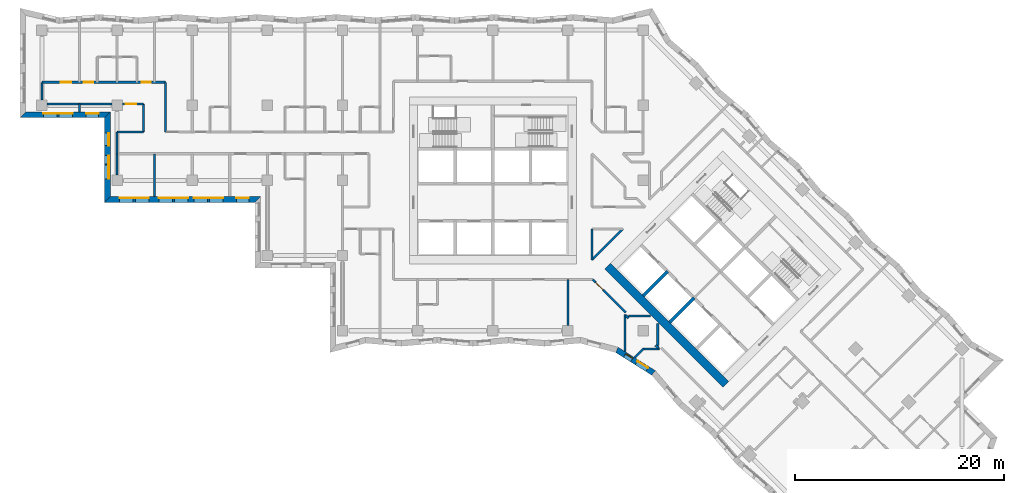
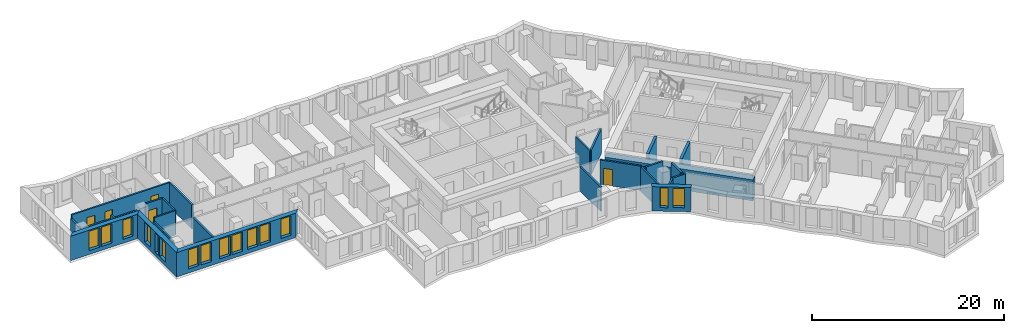
# One storey, part 3 of 12: 29 walls, 15 windows, 5 doors, 20 openings.
"""IFC4 building model written with IfcOpenShell, lengths in metres."""

from ifc_helpers import new_model, si_unit, direction, frame, frame_2d, origin, place, context, subcontext, project, spatial, polyline, rectangle, outline, extrude, material, layer, layer_set, type_object, element, fill, save


model = new_model("IFC4")

# Units and contexts
model_context = context("Model", 3, precision=1e-05, world=origin(), true_north=direction((0.0, 1.0)))
body_context = subcontext(model_context, "Body", "Model", "MODEL_VIEW")
ifc_project = project(units=[si_unit("LENGTHUNIT", "METRE"), si_unit("AREAUNIT", "SQUARE_METRE"), si_unit("VOLUMEUNIT", "CUBIC_METRE"), si_unit("PLANEANGLEUNIT", "RADIAN"), si_unit("MASSUNIT", "GRAM", prefix="KILO")], contexts=[model_context])

# Site, building, storey
site_placement = place(None, origin())
site = spatial("IfcSite", under=ifc_project, at=site_placement, CompositionType="ELEMENT")
building_placement = place(site_placement, origin())
building = spatial("IfcBuilding", under=site, at=building_placement, Name="Windrow Commons", CompositionType="ELEMENT")
storey_placement = place(building_placement, frame((0.0, 0.0, 81.2)))
storey = spatial("IfcBuildingStorey", under=building, at=storey_placement, Name="L21", CompositionType="ELEMENT", Elevation=81.2)

# Wall, openings, windows
ifc_material_1 = material(Name="Brick masonry, red clay brick", Category="masonry")
ifc_layer_1 = layer(ifc_material_1, 0.55)
ifc_layer_set_1 = layer_set([ifc_layer_1], Name="Brick facade wall 550")
wall_type_1 = type_object("IfcWallType", Name="Brick facade wall 550", PredefinedType="SOLIDWALL", material=ifc_layer_set_1)
wall_1_placement = place(storey_placement, frame((19.775, 63.875, 0.0), z_axis=(0.0, 0.0, 1.0), x_axis=(1.0, 0.0, 0.0)))
wall_1 = element("IfcWall", 1, at=wall_1_placement, inside=storey, type_object=wall_type_1, Name="Brick facade wall L21 38", PredefinedType="SOLIDWALL", context=body_context, shape_type="SweptSolid", body=[
    extrude(outline(polyline([(-0.275, -0.275), (7.825, -0.275), (8.375, 0.275), (0.275, 0.275), (-0.275, -0.275)])), origin(), (0.0, 0.0, 1.0), 3.1),
])
opening_1_placement = place(wall_1_placement, frame((1.975, 0.0, 0.5)))
opening_1 = element("IfcOpeningElement", 2, at=opening_1_placement, cuts=wall_1, Name="Opening W1P", PredefinedType="OPENING", context=body_context, shape_type="SweptSolid", body=[
    extrude(rectangle(XDim=1.3, YDim=2.45, at=frame_2d((0.65, 1.225))), frame((0.0, 0.285, 0.0), z_axis=(0.0, -1.0, 0.0), x_axis=(1.0, 0.0, 0.0)), (0.0, 0.0, 1.0), 0.57),
])
opening_2_placement = place(wall_1_placement, frame((3.475, 0.0, 0.5)))
opening_2 = element("IfcOpeningElement", 3, at=opening_2_placement, cuts=wall_1, Name="Opening W1P", PredefinedType="OPENING", context=body_context, shape_type="SweptSolid", body=[
    extrude(rectangle(XDim=1.3, YDim=2.45, at=frame_2d((0.65, 1.225))), frame((0.0, 0.285, 0.0), z_axis=(0.0, -1.0, 0.0), x_axis=(1.0, 0.0, 0.0)), (0.0, 0.0, 1.0), 0.57),
])
opening_3_placement = place(wall_1_placement, frame((6.0625, 0.0, 0.5)))
opening_3 = element("IfcOpeningElement", 4, at=opening_3_placement, cuts=wall_1, Name="Opening W7D", PredefinedType="OPENING", context=body_context, shape_type="SweptSolid", body=[
    extrude(rectangle(XDim=1.2, YDim=2.45, at=frame_2d((0.6, 1.225))), frame((0.0, 0.285, 0.0), z_axis=(0.0, -1.0, 0.0), x_axis=(1.0, 0.0, 0.0)), (0.0, 0.0, 1.0), 0.57),
])
ifc_material_2 = material(Name="Clear float glass in anodised aluminium frame", Category="aluminium")
window_type_1 = type_object("IfcWindowType", Name="Window W1P pair 1300x2450", PartitioningType="SINGLE_PANEL", PredefinedType="WINDOW", material=ifc_material_2)
window_1_placement = place(opening_1_placement, origin())
window_1 = element("IfcWindow", 5, at=window_1_placement, inside=storey, type_object=window_type_1, Name="Window L21 38.1A", OverallHeight=2.45, OverallWidth=1.3, PartitioningType="SINGLE_PANEL", PredefinedType="WINDOW", context=body_context, shape_type="SweptSolid", body=[
    extrude(rectangle(XDim=1.3, YDim=2.45, at=frame_2d((0.65, 1.225))), frame((0.0, 0.155, 0.0), z_axis=(0.0, -1.0, 0.0), x_axis=(1.0, 0.0, 0.0)), (0.0, 0.0, 1.0), 0.06),
])
fill(opening_1, window_1)
window_2_placement = place(opening_2_placement, origin())
window_2 = element("IfcWindow", 6, at=window_2_placement, inside=storey, type_object=window_type_1, Name="Window L21 38.1B", OverallHeight=2.45, OverallWidth=1.3, PartitioningType="SINGLE_PANEL", PredefinedType="WINDOW", context=body_context, shape_type="SweptSolid", body=[
    extrude(rectangle(XDim=1.3, YDim=2.45, at=frame_2d((0.65, 1.225))), frame((0.0, 0.155, 0.0), z_axis=(0.0, -1.0, 0.0), x_axis=(1.0, 0.0, 0.0)), (0.0, 0.0, 1.0), 0.06),
])
fill(opening_2, window_2)
ifc_material_3 = material(Name="Clear float glass in anodised aluminium frame", Category="aluminium")
window_type_2 = type_object("IfcWindowType", Name="Window W7 notch 1200x2450", PartitioningType="SINGLE_PANEL", PredefinedType="WINDOW", material=ifc_material_3)
window_3_placement = place(opening_3_placement, origin())
window_3 = element("IfcWindow", 7, at=window_3_placement, inside=storey, type_object=window_type_2, Name="Window L21 38.2", OverallHeight=2.45, OverallWidth=1.2, PartitioningType="SINGLE_PANEL", PredefinedType="WINDOW", context=body_context, shape_type="SweptSolid", body=[
    extrude(rectangle(XDim=1.2, YDim=2.45, at=frame_2d((0.6, 1.225))), frame((0.0, 0.155, 0.0), z_axis=(0.0, -1.0, 0.0), x_axis=(1.0, 0.0, 0.0)), (0.0, 0.0, 1.0), 0.06),
])
fill(opening_3, window_3)

wall_2_placement = place(storey_placement, frame((27.875, 63.875, 0.0), z_axis=(0.0, 0.0, 1.0), x_axis=(0.0, -1.0, 0.0)))
wall_2 = element("IfcWall", 8, at=wall_2_placement, inside=storey, type_object=wall_type_1, Name="Brick facade wall L21 39", PredefinedType="SOLIDWALL", context=body_context, shape_type="SweptSolid", body=[
    extrude(outline(polyline([(0.275, -0.275), (8.375, -0.275), (7.825, 0.275), (-0.275, 0.275), (0.275, -0.275)])), origin(), (0.0, 0.0, 1.0), 3.1),
])
opening_4_placement = place(wall_2_placement, frame((4.825, 0.0, 0.5)))
opening_4 = element("IfcOpeningElement", 9, at=opening_4_placement, cuts=wall_2, Name="Opening W1P", PredefinedType="OPENING", context=body_context, shape_type="SweptSolid", body=[
    extrude(rectangle(XDim=1.3, YDim=2.45, at=frame_2d((0.65, 1.225))), frame((0.0, 0.285, 0.0), z_axis=(0.0, -1.0, 0.0), x_axis=(1.0, 0.0, 0.0)), (0.0, 0.0, 1.0), 0.57),
])
opening_5_placement = place(wall_2_placement, frame((1.7375, 0.0, 0.5)))
opening_5 = element("IfcOpeningElement", 10, at=opening_5_placement, cuts=wall_2, Name="Opening W7D", PredefinedType="OPENING", context=body_context, shape_type="SweptSolid", body=[
    extrude(rectangle(XDim=1.2, YDim=2.45, at=frame_2d((0.6, 1.225))), frame((0.0, 0.285, 0.0), z_axis=(0.0, -1.0, 0.0), x_axis=(1.0, 0.0, 0.0)), (0.0, 0.0, 1.0), 0.57),
])
opening_6_placement = place(wall_2_placement, frame((3.9, 0.0, 0.45)))
opening_6 = element("IfcOpeningElement", 11, at=opening_6_placement, cuts=wall_2, Name="Opening W1N", PredefinedType="OPENING", context=body_context, shape_type="SweptSolid", body=[
    extrude(rectangle(XDim=0.8, YDim=2.5, at=frame_2d((0.4, 1.25))), frame((0.0, 0.285, 0.0), z_axis=(0.0, -1.0, 0.0), x_axis=(1.0, 0.0, 0.0)), (0.0, 0.0, 1.0), 0.57),
])
ifc_material_4 = material(Name="Clear float glass in anodised aluminium frame", Category="aluminium")
window_type_3 = type_object("IfcWindowType", Name="Window W1N slit 800x2500", PartitioningType="SINGLE_PANEL", PredefinedType="WINDOW", material=ifc_material_4)
window_4_placement = place(opening_6_placement, origin())
window_4 = element("IfcWindow", 12, at=window_4_placement, inside=storey, type_object=window_type_3, Name="Window L21 39.1AA", OverallHeight=2.5, OverallWidth=0.8, PartitioningType="SINGLE_PANEL", PredefinedType="WINDOW", context=body_context, shape_type="SweptSolid", body=[
    extrude(rectangle(XDim=0.8, YDim=2.5, at=frame_2d((0.4, 1.25))), frame((0.0, 0.155, 0.0), z_axis=(0.0, -1.0, 0.0), x_axis=(1.0, 0.0, 0.0)), (0.0, 0.0, 1.0), 0.06),
])
fill(opening_6, window_4)
window_5_placement = place(opening_4_placement, origin())
window_5 = element("IfcWindow", 13, at=window_5_placement, inside=storey, type_object=window_type_1, Name="Window L21 39.1B", OverallHeight=2.45, OverallWidth=1.3, PartitioningType="SINGLE_PANEL", PredefinedType="WINDOW", context=body_context, shape_type="SweptSolid", body=[
    extrude(rectangle(XDim=1.3, YDim=2.45, at=frame_2d((0.65, 1.225))), frame((0.0, 0.155, 0.0), z_axis=(0.0, -1.0, 0.0), x_axis=(1.0, 0.0, 0.0)), (0.0, 0.0, 1.0), 0.06),
])
fill(opening_4, window_5)
window_6_placement = place(opening_5_placement, origin())
window_6 = element("IfcWindow", 14, at=window_6_placement, inside=storey, type_object=window_type_2, Name="Window L21 39.2", OverallHeight=2.45, OverallWidth=1.2, PartitioningType="SINGLE_PANEL", PredefinedType="WINDOW", context=body_context, shape_type="SweptSolid", body=[
    extrude(rectangle(XDim=1.2, YDim=2.45, at=frame_2d((0.6, 1.225))), frame((0.0, 0.155, 0.0), z_axis=(0.0, -1.0, 0.0), x_axis=(1.0, 0.0, 0.0)), (0.0, 0.0, 1.0), 0.06),
])
fill(opening_5, window_6)

wall_3_placement = place(storey_placement, frame((27.875, 55.775, 0.0), z_axis=(0.0, 0.0, 1.0), x_axis=(1.0, 0.0, 0.0)))
wall_3 = element("IfcWall", 15, at=wall_3_placement, inside=storey, type_object=wall_type_1, Name="Brick facade wall L21 40", PredefinedType="SOLIDWALL", context=body_context, shape_type="SweptSolid", body=[
    extrude(outline(polyline([(-0.275, -0.275), (14.125, -0.275), (14.675, 0.275), (0.275, 0.275), (-0.275, -0.275)])), origin(), (0.0, 0.0, 1.0), 3.1),
])
opening_7_placement = place(wall_3_placement, frame((1.175, 0.0, 0.5)))
opening_7 = element("IfcOpeningElement", 16, at=opening_7_placement, cuts=wall_3, Name="Opening W1P", PredefinedType="OPENING", context=body_context, shape_type="SweptSolid", body=[
    extrude(rectangle(XDim=1.3, YDim=2.45, at=frame_2d((0.65, 1.225))), frame((0.0, 0.285, 0.0), z_axis=(0.0, -1.0, 0.0), x_axis=(1.0, 0.0, 0.0)), (0.0, 0.0, 1.0), 0.57),
])
opening_8_placement = place(wall_3_placement, frame((2.675, 0.0, 0.5)))
opening_8 = element("IfcOpeningElement", 17, at=opening_8_placement, cuts=wall_3, Name="Opening W1P", PredefinedType="OPENING", context=body_context, shape_type="SweptSolid", body=[
    extrude(rectangle(XDim=1.3, YDim=2.45, at=frame_2d((0.65, 1.225))), frame((0.0, 0.285, 0.0), z_axis=(0.0, -1.0, 0.0), x_axis=(1.0, 0.0, 0.0)), (0.0, 0.0, 1.0), 0.57),
])
opening_9_placement = place(wall_3_placement, frame((4.925, 0.0, 0.5)))
opening_9 = element("IfcOpeningElement", 18, at=opening_9_placement, cuts=wall_3, Name="Opening W1P", PredefinedType="OPENING", context=body_context, shape_type="SweptSolid", body=[
    extrude(rectangle(XDim=1.3, YDim=2.45, at=frame_2d((0.65, 1.225))), frame((0.0, 0.285, 0.0), z_axis=(0.0, -1.0, 0.0), x_axis=(1.0, 0.0, 0.0)), (0.0, 0.0, 1.0), 0.57),
])
opening_10_placement = place(wall_3_placement, frame((6.425, 0.0, 0.5)))
opening_10 = element("IfcOpeningElement", 19, at=opening_10_placement, cuts=wall_3, Name="Opening W1P", PredefinedType="OPENING", context=body_context, shape_type="SweptSolid", body=[
    extrude(rectangle(XDim=1.3, YDim=2.45, at=frame_2d((0.65, 1.225))), frame((0.0, 0.285, 0.0), z_axis=(0.0, -1.0, 0.0), x_axis=(1.0, 0.0, 0.0)), (0.0, 0.0, 1.0), 0.57),
])
opening_11_placement = place(wall_3_placement, frame((8.275, 0.0, 0.5)))
opening_11 = element("IfcOpeningElement", 20, at=opening_11_placement, cuts=wall_3, Name="Opening W1P", PredefinedType="OPENING", context=body_context, shape_type="SweptSolid", body=[
    extrude(rectangle(XDim=1.3, YDim=2.45, at=frame_2d((0.65, 1.225))), frame((0.0, 0.285, 0.0), z_axis=(0.0, -1.0, 0.0), x_axis=(1.0, 0.0, 0.0)), (0.0, 0.0, 1.0), 0.57),
])
opening_12_placement = place(wall_3_placement, frame((9.775, 0.0, 0.5)))
opening_12 = element("IfcOpeningElement", 21, at=opening_12_placement, cuts=wall_3, Name="Opening W1P", PredefinedType="OPENING", context=body_context, shape_type="SweptSolid", body=[
    extrude(rectangle(XDim=1.3, YDim=2.45, at=frame_2d((0.65, 1.225))), frame((0.0, 0.285, 0.0), z_axis=(0.0, -1.0, 0.0), x_axis=(1.0, 0.0, 0.0)), (0.0, 0.0, 1.0), 0.57),
])
opening_13_placement = place(wall_3_placement, frame((12.3625, 0.0, 0.5)))
opening_13 = element("IfcOpeningElement", 22, at=opening_13_placement, cuts=wall_3, Name="Opening W7D", PredefinedType="OPENING", context=body_context, shape_type="SweptSolid", body=[
    extrude(rectangle(XDim=1.2, YDim=2.45, at=frame_2d((0.6, 1.225))), frame((0.0, 0.285, 0.0), z_axis=(0.0, -1.0, 0.0), x_axis=(1.0, 0.0, 0.0)), (0.0, 0.0, 1.0), 0.57),
])
window_7_placement = place(opening_7_placement, origin())
window_7 = element("IfcWindow", 23, at=window_7_placement, inside=storey, type_object=window_type_1, Name="Window L21 40.1A", OverallHeight=2.45, OverallWidth=1.3, PartitioningType="SINGLE_PANEL", PredefinedType="WINDOW", context=body_context, shape_type="SweptSolid", body=[
    extrude(rectangle(XDim=1.3, YDim=2.45, at=frame_2d((0.65, 1.225))), frame((0.0, 0.155, 0.0), z_axis=(0.0, -1.0, 0.0), x_axis=(1.0, 0.0, 0.0)), (0.0, 0.0, 1.0), 0.06),
])
fill(opening_7, window_7)
window_8_placement = place(opening_8_placement, origin())
window_8 = element("IfcWindow", 24, at=window_8_placement, inside=storey, type_object=window_type_1, Name="Window L21 40.1B", OverallHeight=2.45, OverallWidth=1.3, PartitioningType="SINGLE_PANEL", PredefinedType="WINDOW", context=body_context, shape_type="SweptSolid", body=[
    extrude(rectangle(XDim=1.3, YDim=2.45, at=frame_2d((0.65, 1.225))), frame((0.0, 0.155, 0.0), z_axis=(0.0, -1.0, 0.0), x_axis=(1.0, 0.0, 0.0)), (0.0, 0.0, 1.0), 0.06),
])
fill(opening_8, window_8)
window_9_placement = place(opening_9_placement, origin())
window_9 = element("IfcWindow", 25, at=window_9_placement, inside=storey, type_object=window_type_1, Name="Window L21 40.2A", OverallHeight=2.45, OverallWidth=1.3, PartitioningType="SINGLE_PANEL", PredefinedType="WINDOW", context=body_context, shape_type="SweptSolid", body=[
    extrude(rectangle(XDim=1.3, YDim=2.45, at=frame_2d((0.65, 1.225))), frame((0.0, 0.155, 0.0), z_axis=(0.0, -1.0, 0.0), x_axis=(1.0, 0.0, 0.0)), (0.0, 0.0, 1.0), 0.06),
])
fill(opening_9, window_9)
window_10_placement = place(opening_10_placement, origin())
window_10 = element("IfcWindow", 26, at=window_10_placement, inside=storey, type_object=window_type_1, Name="Window L21 40.2B", OverallHeight=2.45, OverallWidth=1.3, PartitioningType="SINGLE_PANEL", PredefinedType="WINDOW", context=body_context, shape_type="SweptSolid", body=[
    extrude(rectangle(XDim=1.3, YDim=2.45, at=frame_2d((0.65, 1.225))), frame((0.0, 0.155, 0.0), z_axis=(0.0, -1.0, 0.0), x_axis=(1.0, 0.0, 0.0)), (0.0, 0.0, 1.0), 0.06),
])
fill(opening_10, window_10)
window_11_placement = place(opening_11_placement, origin())
window_11 = element("IfcWindow", 27, at=window_11_placement, inside=storey, type_object=window_type_1, Name="Window L21 40.3A", OverallHeight=2.45, OverallWidth=1.3, PartitioningType="SINGLE_PANEL", PredefinedType="WINDOW", context=body_context, shape_type="SweptSolid", body=[
    extrude(rectangle(XDim=1.3, YDim=2.45, at=frame_2d((0.65, 1.225))), frame((0.0, 0.155, 0.0), z_axis=(0.0, -1.0, 0.0), x_axis=(1.0, 0.0, 0.0)), (0.0, 0.0, 1.0), 0.06),
])
fill(opening_11, window_11)
window_12_placement = place(opening_12_placement, origin())
window_12 = element("IfcWindow", 28, at=window_12_placement, inside=storey, type_object=window_type_1, Name="Window L21 40.3B", OverallHeight=2.45, OverallWidth=1.3, PartitioningType="SINGLE_PANEL", PredefinedType="WINDOW", context=body_context, shape_type="SweptSolid", body=[
    extrude(rectangle(XDim=1.3, YDim=2.45, at=frame_2d((0.65, 1.225))), frame((0.0, 0.155, 0.0), z_axis=(0.0, -1.0, 0.0), x_axis=(1.0, 0.0, 0.0)), (0.0, 0.0, 1.0), 0.06),
])
fill(opening_12, window_12)
window_13_placement = place(opening_13_placement, origin())
window_13 = element("IfcWindow", 29, at=window_13_placement, inside=storey, type_object=window_type_2, Name="Window L21 40.4", OverallHeight=2.45, OverallWidth=1.2, PartitioningType="SINGLE_PANEL", PredefinedType="WINDOW", context=body_context, shape_type="SweptSolid", body=[
    extrude(rectangle(XDim=1.2, YDim=2.45, at=frame_2d((0.6, 1.225))), frame((0.0, 0.155, 0.0), z_axis=(0.0, -1.0, 0.0), x_axis=(1.0, 0.0, 0.0)), (0.0, 0.0, 1.0), 0.06),
])
fill(opening_13, window_13)

wall_4_placement = place(storey_placement, frame((76.6938, 41.3552, 0.0), z_axis=(0.0, 0.0, 1.0), x_axis=(0.8465222768, -0.532353299, 0.0)))
wall_4 = element("IfcWall", 30, at=wall_4_placement, inside=storey, type_object=wall_type_1, Name="Brick facade wall L21 52", PredefinedType="SOLIDWALL", context=body_context, shape_type="SweptSolid", body=[
    extrude(outline(polyline([(0.0422, -0.275), (4.0935, -0.275), (4.1766, 0.275), (-0.0422, 0.275), (0.0422, -0.275)])), origin(), (0.0, 0.0, 1.0), 3.1),
])
opening_14_placement = place(wall_4_placement, frame((2.2408, 0.0, 0.5)))
opening_14 = element("IfcOpeningElement", 31, at=opening_14_placement, cuts=wall_4, Name="Opening W7D", PredefinedType="OPENING", context=body_context, shape_type="SweptSolid", body=[
    extrude(rectangle(XDim=1.2, YDim=2.45, at=frame_2d((0.6, 1.225))), frame((0.0, 0.285, 0.0), z_axis=(0.0, -1.0, 0.0), x_axis=(1.0, 0.0, 0.0)), (0.0, 0.0, 1.0), 0.57),
])
opening_15_placement = place(wall_4_placement, frame((0.9054, 0.0, 0.45)))
opening_15 = element("IfcOpeningElement", 32, at=opening_15_placement, cuts=wall_4, Name="Opening W1N", PredefinedType="OPENING", context=body_context, shape_type="SweptSolid", body=[
    extrude(rectangle(XDim=0.8, YDim=2.5, at=frame_2d((0.4, 1.25))), frame((0.0, 0.285, 0.0), z_axis=(0.0, -1.0, 0.0), x_axis=(1.0, 0.0, 0.0)), (0.0, 0.0, 1.0), 0.57),
])
window_14_placement = place(opening_15_placement, origin())
window_14 = element("IfcWindow", 33, at=window_14_placement, inside=storey, type_object=window_type_3, Name="Window L21 52.1A", OverallHeight=2.5, OverallWidth=0.8, PartitioningType="SINGLE_PANEL", PredefinedType="WINDOW", context=body_context, shape_type="SweptSolid", body=[
    extrude(rectangle(XDim=0.8, YDim=2.5, at=frame_2d((0.4, 1.25))), frame((0.0, 0.155, 0.0), z_axis=(0.0, -1.0, 0.0), x_axis=(1.0, 0.0, 0.0)), (0.0, 0.0, 1.0), 0.06),
])
fill(opening_15, window_14)
window_15_placement = place(opening_14_placement, origin())
window_15 = element("IfcWindow", 34, at=window_15_placement, inside=storey, type_object=window_type_2, Name="Window L21 52.2", OverallHeight=2.45, OverallWidth=1.2, PartitioningType="SINGLE_PANEL", PredefinedType="WINDOW", context=body_context, shape_type="SweptSolid", body=[
    extrude(rectangle(XDim=1.2, YDim=2.45, at=frame_2d((0.6, 1.225))), frame((0.0, 0.155, 0.0), z_axis=(0.0, -1.0, 0.0), x_axis=(1.0, 0.0, 0.0)), (0.0, 0.0, 1.0), 0.06),
])
fill(opening_14, window_15)

# Wall, openings, doors
ifc_material_5 = material(Name="Blockwork partition", Category="masonry")
ifc_layer_2 = layer(ifc_material_5, 0.2)
ifc_layer_set_2 = layer_set([ifc_layer_2], Name="IW-CORRIDOR-200")
wall_type_2 = type_object("IfcWallType", Name="IW-CORRIDOR-200", PredefinedType="PARTITIONING", material=ifc_layer_set_2)
wall_5_placement = place(storey_placement, frame((21.602, 67.0, 0.0), z_axis=(0.0, 0.0, 1.0), x_axis=(1.0, 0.0, 0.0)))
wall_5 = element("IfcWall", 35, at=wall_5_placement, inside=storey, type_object=wall_type_2, Name="W-L21-W005", PredefinedType="PARTITIONING", context=body_context, shape_type="SweptSolid", body=[
    extrude(rectangle(XDim=11.848, YDim=0.2, at=frame_2d((5.924, 0.0))), origin(), (0.0, 0.0, 1.0), 3.1),
])
opening_16_placement = place(wall_5_placement, frame((1.7907, 0.0, 0.0)))
opening_16 = element("IfcOpeningElement", 36, at=opening_16_placement, cuts=wall_5, Name="Opening D310F", PredefinedType="OPENING", context=body_context, shape_type="SweptSolid", body=[
    extrude(rectangle(XDim=1.0, YDim=2.1, at=frame_2d((0.5, 1.05))), frame((0.0, 0.11, 0.0), z_axis=(0.0, -1.0, 0.0), x_axis=(1.0, 0.0, 0.0)), (0.0, 0.0, 1.0), 0.22),
])
opening_17_placement = place(wall_5_placement, frame((3.998, 0.0, 0.0)))
opening_17 = element("IfcOpeningElement", 37, at=opening_17_placement, cuts=wall_5, Name="Opening D109S", PredefinedType="OPENING", context=body_context, shape_type="SweptSolid", body=[
    extrude(rectangle(XDim=0.9, YDim=2.1, at=frame_2d((0.45, 1.05))), frame((0.0, 0.11, 0.0), z_axis=(0.0, -1.0, 0.0), x_axis=(1.0, 0.0, 0.0)), (0.0, 0.0, 1.0), 0.22),
])
opening_18_placement = place(wall_5_placement, frame((9.548, 0.0, 0.0)))
opening_18 = element("IfcOpeningElement", 38, at=opening_18_placement, cuts=wall_5, Name="Opening D109S", PredefinedType="OPENING", context=body_context, shape_type="SweptSolid", body=[
    extrude(rectangle(XDim=0.9, YDim=2.1, at=frame_2d((0.45, 1.05))), frame((0.0, 0.11, 0.0), z_axis=(0.0, -1.0, 0.0), x_axis=(1.0, 0.0, 0.0)), (0.0, 0.0, 1.0), 0.22),
])
ifc_material_6 = material(Name="Timber door leaf", Category="wood")
door_type_1 = type_object("IfcDoorType", Name="DT-AMENITY-1000", OperationType="SINGLE_SWING_LEFT", PredefinedType="DOOR", material=ifc_material_6)
door_1_placement = place(opening_16_placement, origin())
door_1 = element("IfcDoor", 39, at=door_1_placement, inside=storey, type_object=door_type_1, Name="D-L21-D000", OperationType="SINGLE_SWING_RIGHT", OverallHeight=2.1, OverallWidth=1.0, PredefinedType="DOOR", context=body_context, shape_type="SweptSolid", body=[
    extrude(rectangle(XDim=1.0, YDim=2.1, at=frame_2d((0.5, 1.05))), frame((0.0, 0.025, 0.0), z_axis=(0.0, -1.0, 0.0), x_axis=(1.0, 0.0, 0.0)), (0.0, 0.0, 1.0), 0.05),
])
fill(opening_16, door_1)
ifc_material_7 = material(Name="Timber door leaf", Category="wood")
door_type_2 = type_object("IfcDoorType", Name="DT-BEDROOM-900", OperationType="SINGLE_SWING_LEFT", PredefinedType="DOOR", material=ifc_material_7)
door_2_placement = place(opening_17_placement, origin())
door_2 = element("IfcDoor", 40, at=door_2_placement, inside=storey, type_object=door_type_2, Name="D-L21-D002", OperationType="SINGLE_SWING_LEFT", OverallHeight=2.1, OverallWidth=0.9, PredefinedType="DOOR", context=body_context, shape_type="SweptSolid", body=[
    extrude(rectangle(XDim=0.9, YDim=2.1, at=frame_2d((0.45, 1.05))), frame((0.0, 0.025, 0.0), z_axis=(0.0, -1.0, 0.0), x_axis=(1.0, 0.0, 0.0)), (0.0, 0.0, 1.0), 0.05),
])
fill(opening_17, door_2)
door_3_placement = place(opening_18_placement, origin())
door_3 = element("IfcDoor", 41, at=door_3_placement, inside=storey, type_object=door_type_2, Name="D-L21-D004", OperationType="SINGLE_SWING_RIGHT", OverallHeight=2.1, OverallWidth=0.9, PredefinedType="DOOR", context=body_context, shape_type="SweptSolid", body=[
    extrude(rectangle(XDim=0.9, YDim=2.1, at=frame_2d((0.45, 1.05))), frame((0.0, 0.025, 0.0), z_axis=(0.0, -1.0, 0.0), x_axis=(1.0, 0.0, 0.0)), (0.0, 0.0, 1.0), 0.05),
])
fill(opening_18, door_3)

# Walls
wall_6_placement = place(storey_placement, frame((22.1, 64.9, 0.0), z_axis=(0.0, 0.0, 1.0), x_axis=(1.0, 0.0, 0.0)))
element("IfcWall", 42, at=wall_6_placement, inside=storey, type_object=wall_type_2, Name="W-L21-W027", PredefinedType="PARTITIONING", context=body_context, shape_type="SweptSolid", body=[
    extrude(rectangle(XDim=6.2, YDim=0.2, at=frame_2d((3.1, 0.0))), origin(), (0.0, 0.0, 1.0), 2.6),
])
wall_7_placement = place(storey_placement, frame((33.45, 62.252, 0.0), z_axis=(0.0, 0.0, 1.0), x_axis=(0.0, 1.0, 0.0)))
element("IfcWall", 43, at=wall_7_placement, inside=storey, type_object=wall_type_2, Name="W-L21-W042", PredefinedType="PARTITIONING", context=body_context, shape_type="SweptSolid", body=[
    extrude(rectangle(XDim=4.748, YDim=0.2, at=frame_2d((2.374, 0.0))), origin(), (0.0, 0.0, 1.0), 3.1),
])

# Wall, opening, door
wall_8_placement = place(storey_placement, frame((74.3885, 48.0965, 0.0), z_axis=(0.0, 0.0, 1.0), x_axis=(0.7071067812, -0.7071067812, 0.0)))
wall_8 = element("IfcWall", 44, at=wall_8_placement, inside=storey, type_object=wall_type_2, Name="W-L21-W043", PredefinedType="PARTITIONING", context=body_context, shape_type="SweptSolid", body=[
    extrude(rectangle(XDim=4.4519, YDim=0.2, at=frame_2d((2.226, 0.0))), origin(), (0.0, 0.0, 1.0), 3.1),
])
opening_19_placement = place(wall_8_placement, frame((0.3818, 0.0, 0.0)))
opening_19 = element("IfcOpeningElement", 45, at=opening_19_placement, cuts=wall_8, Name="Opening D310F", PredefinedType="OPENING", context=body_context, shape_type="SweptSolid", body=[
    extrude(rectangle(XDim=1.0, YDim=2.1, at=frame_2d((0.5, 1.05))), frame((0.0, 0.11, 0.0), z_axis=(0.0, -1.0, 0.0), x_axis=(1.0, 0.0, 0.0)), (0.0, 0.0, 1.0), 0.22),
])
door_4_placement = place(opening_19_placement, origin())
door_4 = element("IfcDoor", 46, at=door_4_placement, inside=storey, type_object=door_type_1, Name="D-L21-D037", OperationType="SINGLE_SWING_LEFT", OverallHeight=2.1, OverallWidth=1.0, PredefinedType="DOOR", context=body_context, shape_type="SweptSolid", body=[
    extrude(rectangle(XDim=1.0, YDim=2.1, at=frame_2d((0.5, 1.05))), frame((0.0, 0.025, 0.0), z_axis=(0.0, -1.0, 0.0), x_axis=(1.0, 0.0, 0.0)), (0.0, 0.0, 1.0), 0.05),
])
fill(opening_19, door_4)

# Walls
wall_9_placement = place(storey_placement, frame((74.3012, 49.9908, 0.0), z_axis=(0.0, 0.0, 1.0), x_axis=(0.7071067812, 0.7071067812, 0.0)))
element("IfcWall", 47, at=wall_9_placement, inside=storey, type_object=wall_type_2, Name="W-L21-W049", PredefinedType="PARTITIONING", context=body_context, shape_type="SweptSolid", body=[
    extrude(rectangle(XDim=4.1832, YDim=0.2, at=frame_2d((2.0916, 0.0))), origin(), (0.0, 0.0, 1.0), 3.1),
])
wall_10_placement = place(storey_placement, frame((74.3, 49.99, 0.0), z_axis=(0.0, 0.0, 1.0), x_axis=(0.0, 1.0, 0.0)))
element("IfcWall", 48, at=wall_10_placement, inside=storey, type_object=wall_type_2, Name="W-L21-W064", PredefinedType="PARTITIONING", context=body_context, shape_type="SweptSolid", body=[
    extrude(rectangle(XDim=2.96, YDim=0.2, at=frame_2d((1.48, 0.0))), origin(), (0.0, 0.0, 1.0), 3.1),
])
wall_11_placement = place(storey_placement, frame((31.35, 62.252, 0.0), z_axis=(0.0, 0.0, 1.0), x_axis=(0.0, 1.0, 0.0)))
element("IfcWall", 49, at=wall_11_placement, inside=storey, type_object=wall_type_2, Name="W-L21-W066", PredefinedType="PARTITIONING", context=body_context, shape_type="SweptSolid", body=[
    extrude(rectangle(XDim=2.646, YDim=0.2, at=frame_2d((1.323, 0.0))), origin(), (0.0, 0.0, 1.0), 3.1),
])
wall_12_placement = place(storey_placement, frame((28.802, 62.25, 0.0), z_axis=(0.0, 0.0, 1.0), x_axis=(1.0, 0.0, 0.0)))
element("IfcWall", 50, at=wall_12_placement, inside=storey, type_object=wall_type_2, Name="W-L21-W068", PredefinedType="PARTITIONING", context=body_context, shape_type="SweptSolid", body=[
    extrude(rectangle(XDim=2.546, YDim=0.2, at=frame_2d((1.273, 0.0))), origin(), (0.0, 0.0, 1.0), 3.1),
])
wall_13_placement = place(storey_placement, frame((28.8, 60.15, 0.0), z_axis=(0.0, 0.0, 1.0), x_axis=(0.0, 1.0, 0.0)))
element("IfcWall", 51, at=wall_13_placement, inside=storey, type_object=wall_type_2, Name="W-L21-W102", PredefinedType="PARTITIONING", context=body_context, shape_type="SweptSolid", body=[
    extrude(rectangle(XDim=2.1, YDim=0.2, at=frame_2d((1.05, 0.0))), origin(), (0.0, 0.0, 1.0), 2.6),
])
for number, where, z_axis, x_axis, name in (
    (52, (77.802, 44.6, 0.0), (0.0, 0.0, 1.0), (1.0, 0.0, 0.0), "W-L21-W106"),
    (53, (80.6, 41.802, 0.0), (0.0, 0.0, 1.0), (0.0, 1.0, 0.0), "W-L21-W107"),
):
    element("IfcWall", number, at=place(storey_placement, frame(where, z_axis=z_axis, x_axis=x_axis)), inside=storey, type_object=wall_type_2, Name=name, PredefinedType="PARTITIONING", context=body_context, shape_type="SweptSolid", body=[
        extrude(rectangle(XDim=2.098, YDim=0.2, at=frame_2d((1.049, 0.0))), origin(), (0.0, 0.0, 1.0), 3.1),
    ])

# Wall, opening, door
wall_14_placement = place(storey_placement, frame((29.3, 64.9, 0.0), z_axis=(0.0, 0.0, 1.0), x_axis=(1.0, 0.0, 0.0)))
wall_14 = element("IfcWall", 54, at=wall_14_placement, inside=storey, type_object=wall_type_2, Name="W-L21-W117", PredefinedType="PARTITIONING", context=body_context, shape_type="SweptSolid", body=[
    extrude(rectangle(XDim=2.048, YDim=0.2, at=frame_2d((1.024, 0.0))), origin(), (0.0, 0.0, 1.0), 3.1),
])
opening_20_placement = place(wall_14_placement, frame((0.3155, 0.0, 0.0)))
opening_20 = element("IfcOpeningElement", 55, at=opening_20_placement, cuts=wall_14, Name="Opening D310F", PredefinedType="OPENING", context=body_context, shape_type="SweptSolid", body=[
    extrude(rectangle(XDim=1.0, YDim=2.1, at=frame_2d((0.5, 1.05))), frame((0.0, 0.11, 0.0), z_axis=(0.0, -1.0, 0.0), x_axis=(1.0, 0.0, 0.0)), (0.0, 0.0, 1.0), 0.22),
])
door_5_placement = place(opening_20_placement, origin())
door_5 = element("IfcDoor", 56, at=door_5_placement, inside=storey, type_object=door_type_1, Name="D-L21-D001", OperationType="SINGLE_SWING_RIGHT", OverallHeight=2.1, OverallWidth=1.0, PredefinedType="DOOR", context=body_context, shape_type="SweptSolid", body=[
    extrude(rectangle(XDim=1.0, YDim=2.1, at=frame_2d((0.5, 1.05))), frame((0.0, 0.025, 0.0), z_axis=(0.0, -1.0, 0.0), x_axis=(1.0, 0.0, 0.0)), (0.0, 0.0, 1.0), 0.05),
])
fill(opening_20, door_5)

# Walls
wall_15_placement = place(storey_placement, frame((21.6, 65.3, 0.0), z_axis=(0.0, 0.0, 1.0), x_axis=(0.0, 1.0, 0.0)))
element("IfcWall", 57, at=wall_15_placement, inside=storey, type_object=wall_type_2, Name="W-L21-W141", PredefinedType="PARTITIONING", context=body_context, shape_type="SweptSolid", body=[
    extrude(rectangle(XDim=1.698, YDim=0.2, at=frame_2d((0.849, 0.0))), origin(), (0.0, 0.0, 1.0), 2.6),
])
for number, where, z_axis, x_axis, name in (
    (58, (77.5461, 44.6561, 0.0), (0.0, 0.0, 1.0), (0.7071067812, -0.7071067812, 0.0), "W-L21-W175"),
    (59, (80.4051, 41.7971, 0.0), (0.0, 0.0, 1.0), (0.7071067812, -0.7071067812, 0.0), "W-L21-W176"),
):
    element("IfcWall", number, at=place(storey_placement, frame(where, z_axis=z_axis, x_axis=x_axis)), inside=storey, type_object=wall_type_2, Name=name, PredefinedType="PARTITIONING", context=body_context, shape_type="SweptSolid", body=[
        extrude(rectangle(XDim=0.355, YDim=0.2, at=frame_2d((0.1775, 0.0))), origin(), (0.0, 0.0, 1.0), 3.1),
    ])
ifc_material_8 = material(Name="Blockwork partition", Category="masonry")
ifc_layer_3 = layer(ifc_material_8, 0.2)
ifc_layer_set_3 = layer_set([ifc_layer_3], Name="IW-PARTY-200")
wall_type_3 = type_object("IfcWallType", Name="IW-PARTY-200", PredefinedType="PARTITIONING", material=ifc_layer_set_3)
wall_16_placement = place(storey_placement, frame((72.0, 43.7, 0.0), z_axis=(0.0, 0.0, 1.0), x_axis=(0.0, 1.0, 0.0)))
element("IfcWall", 60, at=wall_16_placement, inside=storey, type_object=wall_type_3, Name="W-L21-W048", PredefinedType="PARTITIONING", context=body_context, shape_type="SweptSolid", body=[
    extrude(rectangle(XDim=4.4, YDim=0.2, at=frame_2d((2.2, 0.0))), origin(), (0.0, 0.0, 1.0), 3.1),
])
wall_17_placement = place(storey_placement, frame((32.4, 56.05, 0.0), z_axis=(0.0, 0.0, 1.0), x_axis=(0.0, 1.0, 0.0)))
element("IfcWall", 61, at=wall_17_placement, inside=storey, type_object=wall_type_3, Name="W-L21-W051", PredefinedType="PARTITIONING", context=body_context, shape_type="SweptSolid", body=[
    extrude(rectangle(XDim=4.1, YDim=0.2, at=frame_2d((2.05, 0.0))), origin(), (0.0, 0.0, 1.0), 3.1),
])
wall_18_placement = place(storey_placement, frame((77.45, 41.2046, 0.0), z_axis=(0.0, 0.0, 1.0), x_axis=(0.0, 1.0, 0.0)))
element("IfcWall", 62, at=wall_18_placement, inside=storey, type_object=wall_type_3, Name="W-L21-W060", PredefinedType="PARTITIONING", context=body_context, shape_type="SweptSolid", body=[
    extrude(rectangle(XDim=3.5534, YDim=0.2, at=frame_2d((1.7767, 0.0))), origin(), (0.0, 0.0, 1.0), 3.1),
])
wall_19_placement = place(storey_placement, frame((28.8, 58.1, 0.0), z_axis=(0.0, 0.0, 1.0), x_axis=(0.0, 1.0, 0.0)))
element("IfcWall", 63, at=wall_19_placement, inside=storey, type_object=wall_type_3, Name="W-L21-W110", PredefinedType="PARTITIONING", context=body_context, shape_type="SweptSolid", body=[
    extrude(rectangle(XDim=2.05, YDim=0.2, at=frame_2d((1.025, 0.0))), origin(), (0.0, 0.0, 1.0), 2.6),
])
wall_20_placement = place(storey_placement, frame((79.198, 41.45, 0.0), z_axis=(0.0, 0.0, 1.0), x_axis=(1.0, 0.0, 0.0)))
element("IfcWall", 64, at=wall_20_placement, inside=storey, type_object=wall_type_3, Name="W-L21-W143", PredefinedType="PARTITIONING", context=body_context, shape_type="SweptSolid", body=[
    extrude(rectangle(XDim=1.56, YDim=0.2, at=frame_2d((0.78, 0.0))), origin(), (0.0, 0.0, 1.0), 3.1),
])
wall_21_placement = place(storey_placement, frame((78.3939, 40.611, 0.0), z_axis=(0.0, 0.0, 1.0), x_axis=(0.7071489173, 0.7070646426, 0.0)))
element("IfcWall", 65, at=wall_21_placement, inside=storey, type_object=wall_type_3, Name="W-L21-W153", PredefinedType="PARTITIONING", context=body_context, shape_type="SweptSolid", body=[
    extrude(rectangle(XDim=1.1866, YDim=0.2, at=frame_2d((0.5933, 0.0))), origin(), (0.0, 0.0, 1.0), 3.1),
])
wall_22_placement = place(storey_placement, frame((25.2, 64.15, 0.0), z_axis=(0.0, 0.0, 1.0), x_axis=(0.0, 1.0, 0.0)))
element("IfcWall", 66, at=wall_22_placement, inside=storey, type_object=wall_type_3, Name="W-L21-W156", PredefinedType="PARTITIONING", context=body_context, shape_type="SweptSolid", body=[
    extrude(rectangle(XDim=0.75, YDim=0.2, at=frame_2d((0.375, 0.0))), origin(), (0.0, 0.0, 1.0), 3.1),
])
ifc_material_9 = material(Name="Concrete C50/60", Category="concrete")
ifc_layer_4 = layer(ifc_material_9, 0.8)
ifc_layer_set_4 = layer_set([ifc_layer_4], Name="RC CORE WALL 800 C50/60")
wall_type_4 = type_object("IfcWallType", Name="RC CORE WALL 800 C50/60", PredefinedType="SHEAR", material=ifc_layer_set_4)
wall_23_placement = place(storey_placement, frame((75.8059, 49.3726, -0.3), z_axis=(0.0, 0.0, 1.0), x_axis=(0.7071067812, -0.7071067812, 0.0)))
element("IfcWall", 67, at=wall_23_placement, inside=storey, type_object=wall_type_4, Name="Core B wall outer-S", PredefinedType="SHEAR", context=body_context, shape_type="SweptSolid", body=[
    extrude(rectangle(XDim=16.0, YDim=0.8, at=frame_2d((8.0, 0.0))), origin(), (0.0, 0.0, 1.0), 2.7),
])
ifc_material_10 = material(Name="Concrete C50/60", Category="concrete")
ifc_layer_5 = layer(ifc_material_10, 0.3)
ifc_layer_set_5 = layer_set([ifc_layer_5], Name="RC SHAFT WALL 300 C50/60")
wall_type_5 = type_object("IfcWallType", Name="RC SHAFT WALL 300 C50/60", PredefinedType="SOLIDWALL", material=ifc_layer_set_5)
wall_24_placement = place(storey_placement, frame((79.2, 46.5442, 0.0), z_axis=(0.0, 0.0, 1.0), x_axis=(0.7071219326, 0.7070916295, 0.0)))
element("IfcWall", 68, at=wall_24_placement, inside=storey, type_object=wall_type_5, Name="Core B wall shaft-S1", PredefinedType="SOLIDWALL", context=body_context, shape_type="SweptSolid", body=[
    extrude(rectangle(XDim=3.3, YDim=0.3, at=frame_2d((1.65, 0.0))), origin(), (0.0, 0.0, 1.0), 3.1),
])
wall_25_placement = place(storey_placement, frame((81.7456, 43.9986, 0.0), z_axis=(0.0, 0.0, 1.0), x_axis=(0.7071067812, 0.7071067812, 0.0)))
element("IfcWall", 69, at=wall_25_placement, inside=storey, type_object=wall_type_5, Name="Core B wall shaft-S2", PredefinedType="SOLIDWALL", context=body_context, shape_type="SweptSolid", body=[
    extrude(rectangle(XDim=3.2999, YDim=0.3, at=frame_2d((1.65, 0.0))), origin(), (0.0, 0.0, 1.0), 3.1),
])

save(model, "model.ifc")
